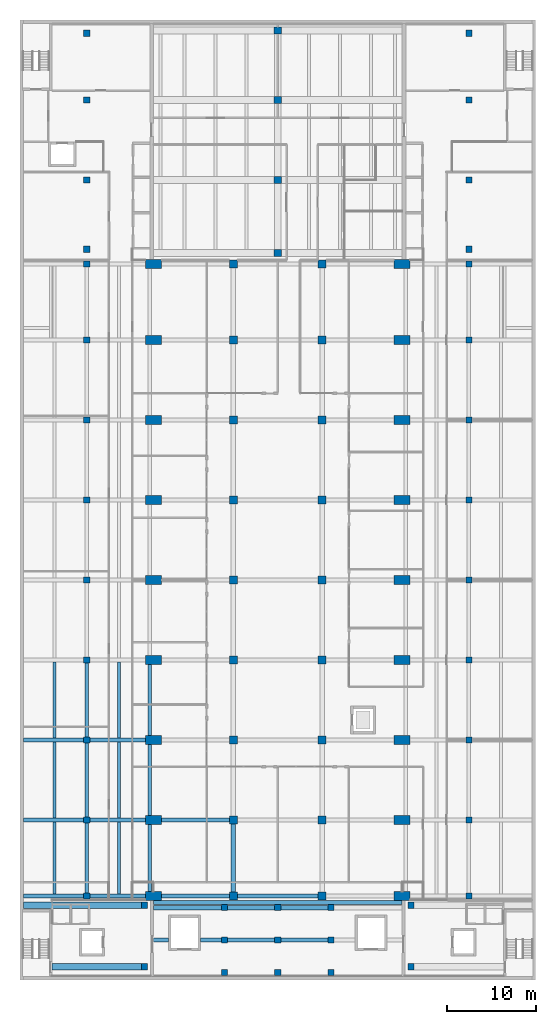
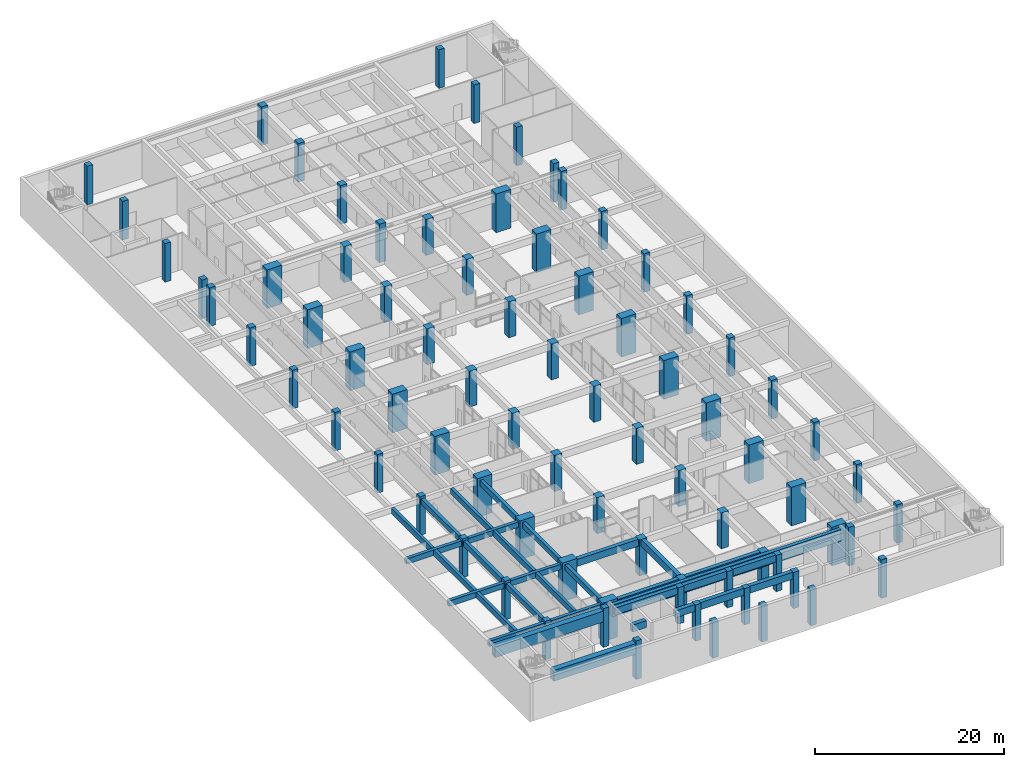
# One storey, part 1 of 29: 79 columns, 32 beams.
"""IFC4 building model written with IfcOpenShell, lengths in metres."""

from ifc_helpers import new_model, si_unit, direction, frame, origin, origin_2d, place, context, subcontext, project, spatial, rectangle, extrude, material, material_profile, profile_set, type_object, element, save


model = new_model("IFC4")

# Units and contexts
model_context = context("Model", 3, precision=1e-05, world=origin(), true_north=direction((0.0, 1.0)))
body_context = subcontext(model_context, "Body", "Model", "MODEL_VIEW")
ifc_project = project(units=[si_unit("LENGTHUNIT", "METRE"), si_unit("AREAUNIT", "SQUARE_METRE"), si_unit("VOLUMEUNIT", "CUBIC_METRE"), si_unit("PLANEANGLEUNIT", "RADIAN"), si_unit("MASSUNIT", "GRAM", prefix="KILO")], contexts=[model_context])

# Site, building, storey
site_placement = place(None, origin())
site = spatial("IfcSite", under=ifc_project, at=site_placement, CompositionType="ELEMENT")
building_placement = place(site_placement, origin())
building = spatial("IfcBuilding", under=site, at=building_placement, Name="Elmora Arch Market Hall", CompositionType="ELEMENT")
storey_placement = place(building_placement, frame((0.0, 0.0, -5.0)))
storey = spatial("IfcBuildingStorey", under=building, at=storey_placement, Name="LG", CompositionType="ELEMENT", Elevation=-5.0)

# Columns
ifc_material_1 = material(Name="Concrete C40/50", Category="concrete")
ifc_material_profile_1 = material_profile(ifc_material_1, rectangle(XDim=0.699951171875, YDim=0.699951171875, at=origin_2d()), Name="Corner block column 700x700")
ifc_profile_set_1 = profile_set([ifc_material_profile_1], Name="Concrete C40/50")
column_type_1 = type_object("IfcColumnType", Name="Corner block column 700x700", PredefinedType="COLUMN", material=ifc_profile_set_1)
for number, where, z_axis, x_axis, name in (
    (1, (14.0, 19.5, 0.0), (0.0, 0.0, 1.0), (1.0, 0.0, 0.0), "Corner block column SW2 LG"),
    (2, (14.0, 26.39990234375, 0.0), (0.0, 0.0, 1.0), (1.0, 0.0, 0.0), "Corner block column SW4 LG"),
    (3, (44.0, 19.5, 0.0), (0.0, 0.0, 1.0), (1.0, 0.0, 0.0), "Corner block column SE2 LG"),
    (4, (44.0, 26.39990234375, 0.0), (0.0, 0.0, 1.0), (1.0, 0.0, 0.0), "Corner block column SE4 LG"),
):
    element("IfcColumn", number, at=place(storey_placement, frame(where, z_axis=z_axis, x_axis=x_axis)), inside=storey, type_object=column_type_1, Name=name, PredefinedType="COLUMN", context=body_context, shape_type="SweptSolid", body=[
        extrude(rectangle(XDim=0.699951171875, YDim=0.699951171875, at=origin_2d()), origin(), (0.0, 0.0, 1.0), 5.0),
    ])
ifc_material_2 = material(Name="Concrete C40/50", Category="concrete")
ifc_material_profile_2 = material_profile(ifc_material_2, rectangle(XDim=0.699951171875, YDim=0.699951171875, at=origin_2d()), Name="Dock column 700x700")
ifc_profile_set_2 = profile_set([ifc_material_profile_2], Name="Concrete C40/50")
column_type_2 = type_object("IfcColumnType", Name="Dock column 700x700", PredefinedType="COLUMN", material=ifc_profile_set_2)
for number, where, z_axis, x_axis, name in (
    (5, (23.0, 22.5, 0.0), (0.0, 0.0, 1.0), (1.0, 0.0, 0.0), "Dock column DK1 LG"),
    (6, (29.0, 22.5, 0.0), (0.0, 0.0, 1.0), (1.0, 0.0, 0.0), "Dock column DK2 LG"),
    (7, (35.0, 22.5, 0.0), (0.0, 0.0, 1.0), (1.0, 0.0, 0.0), "Dock column DK3 LG"),
    (8, (23.0, 26.14990234375, 0.0), (0.0, 0.0, 1.0), (1.0, 0.0, 0.0), "Dock column DK4 LG"),
    (9, (29.0, 26.14990234375, 0.0), (0.0, 0.0, 1.0), (1.0, 0.0, 0.0), "Dock column DK5 LG"),
    (10, (35.0, 26.14990234375, 0.0), (0.0, 0.0, 1.0), (1.0, 0.0, 0.0), "Dock column DK6 LG"),
    (11, (23.0, 18.85009765625, 0.0), (0.0, 0.0, 1.0), (1.0, 0.0, 0.0), "Dock column DK7 LG"),
    (12, (29.0, 18.85009765625, 0.0), (0.0, 0.0, 1.0), (1.0, 0.0, 0.0), "Dock column DK8 LG"),
    (13, (35.0, 18.85009765625, 0.0), (0.0, 0.0, 1.0), (1.0, 0.0, 0.0), "Dock column DK9 LG"),
):
    element("IfcColumn", number, at=place(storey_placement, frame(where, z_axis=z_axis, x_axis=x_axis)), inside=storey, type_object=column_type_2, Name=name, PredefinedType="COLUMN", context=body_context, shape_type="SweptSolid", body=[
        extrude(rectangle(XDim=0.699951171875, YDim=0.699951171875, at=origin_2d()), origin(), (0.0, 0.0, 1.0), 4.699951171875),
    ])
ifc_material_3 = material(Name="Concrete C40/50", Category="concrete")
ifc_material_profile_3 = material_profile(ifc_material_3, rectangle(XDim=0.800048828125, YDim=0.800048828125, at=origin_2d()), Name="Gate column 800x800")
ifc_profile_set_3 = profile_set([ifc_material_profile_3], Name="Concrete C40/50")
column_type_3 = type_object("IfcColumnType", Name="Gate column 800x800", PredefinedType="COLUMN", material=ifc_profile_set_3)
for number, where, z_axis, x_axis, name in (
    (14, (29.0, 99.800048828125, 0.0), (0.0, 0.0, 1.0), (1.0, 0.0, 0.0), "Gate column GT1 LG"),
    (15, (29.0, 108.0, 0.0), (0.0, 0.0, 1.0), (1.0, 0.0, 0.0), "Gate column GT2 LG"),
    (16, (29.0, 117.0, 0.0), (0.0, 0.0, 1.0), (1.0, 0.0, 0.0), "Gate column GT3 LG"),
    (17, (29.0, 124.800048828125, 0.0), (0.0, 0.0, 1.0), (1.0, 0.0, 0.0), "Gate column GT4 LG"),
):
    element("IfcColumn", number, at=place(storey_placement, frame(where, z_axis=z_axis, x_axis=x_axis)), inside=storey, type_object=column_type_3, Name=name, PredefinedType="COLUMN", context=body_context, shape_type="SweptSolid", body=[
        extrude(rectangle(XDim=0.800048828125, YDim=0.800048828125, at=origin_2d()), origin(), (0.0, 0.0, 1.0), 5.0),
    ])
ifc_material_4 = material(Name="Concrete C40/50", Category="concrete")
ifc_material_profile_4 = material_profile(ifc_material_4, rectangle(XDim=0.89990234375, YDim=0.89990234375, at=origin_2d()), Name="Hall frame column 900x900")
ifc_profile_set_4 = profile_set([ifc_material_profile_4], Name="Concrete C40/50")
column_type_4 = type_object("IfcColumnType", Name="Hall frame column 900x900", PredefinedType="COLUMN", material=ifc_profile_set_4)
for number, where, z_axis, x_axis, name in (
    (18, (24.0, 27.449951171875, 0.0), (0.0, 0.0, 1.0), (1.0, 0.0, 0.0), "Hall frame column HF11 LG"),
    (19, (24.0, 36.0, 0.0), (0.0, 0.0, 1.0), (1.0, 0.0, 0.0), "Hall frame column HF12 LG"),
    (20, (24.0, 45.0, 0.0), (0.0, 0.0, 1.0), (1.0, 0.0, 0.0), "Hall frame column HF13 LG"),
    (21, (24.0, 54.0, 0.0), (0.0, 0.0, 1.0), (1.0, 0.0, 0.0), "Hall frame column HF14 LG"),
    (22, (24.0, 63.0, 0.0), (0.0, 0.0, 1.0), (1.0, 0.0, 0.0), "Hall frame column HF15 LG"),
    (23, (24.0, 72.0, 0.0), (0.0, 0.0, 1.0), (1.0, 0.0, 0.0), "Hall frame column HF16 LG"),
    (24, (24.0, 81.0, 0.0), (0.0, 0.0, 1.0), (1.0, 0.0, 0.0), "Hall frame column HF17 LG"),
    (25, (24.0, 90.0, 0.0), (0.0, 0.0, 1.0), (1.0, 0.0, 0.0), "Hall frame column HF18 LG"),
    (26, (24.0, 98.550048828125, 0.0), (0.0, 0.0, 1.0), (1.0, 0.0, 0.0), "Hall frame column HF19 LG"),
    (27, (34.0, 27.449951171875, 0.0), (0.0, 0.0, 1.0), (1.0, 0.0, 0.0), "Hall frame column HF21 LG"),
    (28, (34.0, 36.0, 0.0), (0.0, 0.0, 1.0), (1.0, 0.0, 0.0), "Hall frame column HF22 LG"),
    (29, (34.0, 45.0, 0.0), (0.0, 0.0, 1.0), (1.0, 0.0, 0.0), "Hall frame column HF23 LG"),
    (30, (34.0, 54.0, 0.0), (0.0, 0.0, 1.0), (1.0, 0.0, 0.0), "Hall frame column HF24 LG"),
    (31, (34.0, 63.0, 0.0), (0.0, 0.0, 1.0), (1.0, 0.0, 0.0), "Hall frame column HF25 LG"),
    (32, (34.0, 72.0, 0.0), (0.0, 0.0, 1.0), (1.0, 0.0, 0.0), "Hall frame column HF26 LG"),
    (33, (34.0, 81.0, 0.0), (0.0, 0.0, 1.0), (1.0, 0.0, 0.0), "Hall frame column HF27 LG"),
    (34, (34.0, 90.0, 0.0), (0.0, 0.0, 1.0), (1.0, 0.0, 0.0), "Hall frame column HF28 LG"),
    (35, (34.0, 98.550048828125, 0.0), (0.0, 0.0, 1.0), (1.0, 0.0, 0.0), "Hall frame column HF29 LG"),
):
    element("IfcColumn", number, at=place(storey_placement, frame(where, z_axis=z_axis, x_axis=x_axis)), inside=storey, type_object=column_type_4, Name=name, PredefinedType="COLUMN", context=body_context, shape_type="SweptSolid", body=[
        extrude(rectangle(XDim=0.89990234375, YDim=0.89990234375, at=origin_2d()), origin(), (0.0, 0.0, 1.0), 4.64990234375),
    ])
ifc_material_5 = material(Name="Concrete C40/50", Category="concrete")
ifc_material_profile_5 = material_profile(ifc_material_5, rectangle(XDim=1.800048828125, YDim=1.0, at=origin_2d()), Name="Hall pier")
ifc_profile_set_5 = profile_set([ifc_material_profile_5], Name="Concrete C40/50")
column_type_5 = type_object("IfcColumnType", Name="Hall pier", PredefinedType="COLUMN", material=ifc_profile_set_5)
for number, where, z_axis, x_axis, name in (
    (36, (15.0, 27.449951171875, 0.0), (0.0, 0.0, 1.0), (1.0, 0.0, 0.0), "Hall pier 01W LG"),
    (37, (43.0, 27.449951171875, 0.0), (0.0, 0.0, 1.0), (1.0, 0.0, 0.0), "Hall pier 01E LG"),
    (38, (15.0, 36.0, 0.0), (0.0, 0.0, 1.0), (1.0, 0.0, 0.0), "Hall pier 02W LG"),
    (39, (43.0, 36.0, 0.0), (0.0, 0.0, 1.0), (1.0, 0.0, 0.0), "Hall pier 02E LG"),
    (40, (15.0, 45.0, 0.0), (0.0, 0.0, 1.0), (1.0, 0.0, 0.0), "Hall pier 03W LG"),
    (41, (43.0, 45.0, 0.0), (0.0, 0.0, 1.0), (1.0, 0.0, 0.0), "Hall pier 03E LG"),
    (42, (15.0, 54.0, 0.0), (0.0, 0.0, 1.0), (1.0, 0.0, 0.0), "Hall pier 04W LG"),
    (43, (43.0, 54.0, 0.0), (0.0, 0.0, 1.0), (1.0, 0.0, 0.0), "Hall pier 04E LG"),
    (44, (15.0, 63.0, 0.0), (0.0, 0.0, 1.0), (1.0, 0.0, 0.0), "Hall pier 05W LG"),
    (45, (43.0, 63.0, 0.0), (0.0, 0.0, 1.0), (1.0, 0.0, 0.0), "Hall pier 05E LG"),
    (46, (15.0, 72.0, 0.0), (0.0, 0.0, 1.0), (1.0, 0.0, 0.0), "Hall pier 06W LG"),
    (47, (43.0, 72.0, 0.0), (0.0, 0.0, 1.0), (1.0, 0.0, 0.0), "Hall pier 06E LG"),
    (48, (15.0, 81.0, 0.0), (0.0, 0.0, 1.0), (1.0, 0.0, 0.0), "Hall pier 07W LG"),
    (49, (43.0, 81.0, 0.0), (0.0, 0.0, 1.0), (1.0, 0.0, 0.0), "Hall pier 07E LG"),
    (50, (15.0, 90.0, 0.0), (0.0, 0.0, 1.0), (1.0, 0.0, 0.0), "Hall pier 08W LG"),
    (51, (43.0, 90.0, 0.0), (0.0, 0.0, 1.0), (1.0, 0.0, 0.0), "Hall pier 08E LG"),
    (52, (15.0, 98.550048828125, 0.0), (0.0, 0.0, 1.0), (1.0, 0.0, 0.0), "Hall pier 09W LG"),
    (53, (43.0, 98.550048828125, 0.0), (0.0, 0.0, 1.0), (1.0, 0.0, 0.0), "Hall pier 09E LG"),
):
    element("IfcColumn", number, at=place(storey_placement, frame(where, z_axis=z_axis, x_axis=x_axis)), inside=storey, type_object=column_type_5, Name=name, PredefinedType="COLUMN", context=body_context, shape_type="SweptSolid", body=[
        extrude(rectangle(XDim=1.800048828125, YDim=1.0, at=origin_2d()), origin(), (0.0, 0.0, 1.0), 5.0),
    ])
ifc_material_6 = material(Name="Concrete C40/50", Category="concrete")
ifc_material_profile_6 = material_profile(ifc_material_6, rectangle(XDim=0.699951171875, YDim=0.699951171875, at=origin_2d()), Name="Pavilion column 700x700")
ifc_profile_set_6 = profile_set([ifc_material_profile_6], Name="Concrete C40/50")
column_type_6 = type_object("IfcColumnType", Name="Pavilion column 700x700", PredefinedType="COLUMN", material=ifc_profile_set_6)
for number, where, z_axis, x_axis, name in (
    (54, (7.5, 100.199951171875, 0.0), (0.0, 0.0, 1.0), (1.0, 0.0, 0.0), "Pavilion column NW1 LG"),
    (55, (7.5, 108.0, 0.0), (0.0, 0.0, 1.0), (1.0, 0.0, 0.0), "Pavilion column NW2 LG"),
    (56, (7.5, 117.0, 0.0), (0.0, 0.0, 1.0), (1.0, 0.0, 0.0), "Pavilion column NW3 LG"),
    (57, (7.5, 124.5, 0.0), (0.0, 0.0, 1.0), (1.0, 0.0, 0.0), "Pavilion column NW4 LG"),
    (58, (50.5, 100.199951171875, 0.0), (0.0, 0.0, 1.0), (1.0, 0.0, 0.0), "Pavilion column NE1 LG"),
    (59, (50.5, 108.0, 0.0), (0.0, 0.0, 1.0), (1.0, 0.0, 0.0), "Pavilion column NE2 LG"),
    (60, (50.5, 117.0, 0.0), (0.0, 0.0, 1.0), (1.0, 0.0, 0.0), "Pavilion column NE3 LG"),
    (61, (50.5, 124.5, 0.0), (0.0, 0.0, 1.0), (1.0, 0.0, 0.0), "Pavilion column NE4 LG"),
):
    element("IfcColumn", number, at=place(storey_placement, frame(where, z_axis=z_axis, x_axis=x_axis)), inside=storey, type_object=column_type_6, Name=name, PredefinedType="COLUMN", context=body_context, shape_type="SweptSolid", body=[
        extrude(rectangle(XDim=0.699951171875, YDim=0.699951171875, at=origin_2d()), origin(), (0.0, 0.0, 1.0), 5.0),
    ])
ifc_material_7 = material(Name="Concrete C40/50", Category="concrete")
ifc_material_profile_7 = material_profile(ifc_material_7, rectangle(XDim=0.699951171875, YDim=0.699951171875, at=origin_2d()), Name="Wing column 700x700")
ifc_profile_set_7 = profile_set([ifc_material_profile_7], Name="Concrete C40/50")
column_type_7 = type_object("IfcColumnType", Name="Wing column 700x700", PredefinedType="COLUMN", material=ifc_profile_set_7)
for number, where, z_axis, x_axis, name in (
    (62, (7.5, 27.449951171875, 0.0), (0.0, 0.0, 1.0), (1.0, 0.0, 0.0), "Wing column W1 LG"),
    (63, (7.5, 36.0, 0.0), (0.0, 0.0, 1.0), (1.0, 0.0, 0.0), "Wing column W2 LG"),
    (64, (7.5, 45.0, 0.0), (0.0, 0.0, 1.0), (1.0, 0.0, 0.0), "Wing column W3 LG"),
    (65, (7.5, 54.0, 0.0), (0.0, 0.0, 1.0), (1.0, 0.0, 0.0), "Wing column W4 LG"),
    (66, (7.5, 63.0, 0.0), (0.0, 0.0, 1.0), (1.0, 0.0, 0.0), "Wing column W5 LG"),
    (67, (7.5, 72.0, 0.0), (0.0, 0.0, 1.0), (1.0, 0.0, 0.0), "Wing column W6 LG"),
    (68, (7.5, 81.0, 0.0), (0.0, 0.0, 1.0), (1.0, 0.0, 0.0), "Wing column W7 LG"),
    (69, (7.5, 90.0, 0.0), (0.0, 0.0, 1.0), (1.0, 0.0, 0.0), "Wing column W8 LG"),
    (70, (7.5, 98.550048828125, 0.0), (0.0, 0.0, 1.0), (1.0, 0.0, 0.0), "Wing column W9 LG"),
    (71, (50.5, 27.449951171875, 0.0), (0.0, 0.0, 1.0), (1.0, 0.0, 0.0), "Wing column E1 LG"),
    (72, (50.5, 36.0, 0.0), (0.0, 0.0, 1.0), (1.0, 0.0, 0.0), "Wing column E2 LG"),
    (73, (50.5, 45.0, 0.0), (0.0, 0.0, 1.0), (1.0, 0.0, 0.0), "Wing column E3 LG"),
    (74, (50.5, 54.0, 0.0), (0.0, 0.0, 1.0), (1.0, 0.0, 0.0), "Wing column E4 LG"),
    (75, (50.5, 63.0, 0.0), (0.0, 0.0, 1.0), (1.0, 0.0, 0.0), "Wing column E5 LG"),
    (76, (50.5, 72.0, 0.0), (0.0, 0.0, 1.0), (1.0, 0.0, 0.0), "Wing column E6 LG"),
    (77, (50.5, 81.0, 0.0), (0.0, 0.0, 1.0), (1.0, 0.0, 0.0), "Wing column E7 LG"),
    (78, (50.5, 90.0, 0.0), (0.0, 0.0, 1.0), (1.0, 0.0, 0.0), "Wing column E8 LG"),
    (79, (50.5, 98.550048828125, 0.0), (0.0, 0.0, 1.0), (1.0, 0.0, 0.0), "Wing column E9 LG"),
):
    element("IfcColumn", number, at=place(storey_placement, frame(where, z_axis=z_axis, x_axis=x_axis)), inside=storey, type_object=column_type_7, Name=name, PredefinedType="COLUMN", context=body_context, shape_type="SweptSolid", body=[
        extrude(rectangle(XDim=0.699951171875, YDim=0.699951171875, at=origin_2d()), origin(), (0.0, 0.0, 1.0), 5.0),
    ])

# Beams
ifc_material_8 = material(Name="Concrete C32/40", Category="concrete")
ifc_material_profile_8 = material_profile(ifc_material_8, rectangle(XDim=0.5, YDim=0.89990234375, at=origin_2d()), Name="Basement girder 500x900")
ifc_profile_set_8 = profile_set([ifc_material_profile_8], Name="Concrete C32/40")
beam_type_1 = type_object("IfcBeamType", Name="Basement girder 500x900", PredefinedType="BEAM", material=ifc_profile_set_8)
beam_1_placement = place(storey_placement, frame((15.89990234375, 27.449951171875, 4.199951171875), z_axis=(1.0, 0.0, 0.0), x_axis=(0.0, 1.0, 0.0)))
element("IfcBeam", 80, at=beam_1_placement, inside=storey, type_object=beam_type_1, Name="Basement girder HR1 LG.1", PredefinedType="BEAM", context=body_context, shape_type="SweptSolid", body=[
    extrude(rectangle(XDim=0.5, YDim=0.89990234375, at=origin_2d()), origin(), (0.0, 0.0, 1.0), 7.650146484375),
])
beam_2_placement = place(storey_placement, frame((24.449951171875, 27.449951171875, 4.199951171875), z_axis=(1.0, 0.0, 0.0), x_axis=(0.0, 1.0, 0.0)))
element("IfcBeam", 81, at=beam_2_placement, inside=storey, type_object=beam_type_1, Name="Basement girder HR1 LG.2", PredefinedType="BEAM", context=body_context, shape_type="SweptSolid", body=[
    extrude(rectangle(XDim=0.5, YDim=0.89990234375, at=origin_2d()), origin(), (0.0, 0.0, 1.0), 9.10009765625),
])
for number, where, z_axis, x_axis, name in (
    (82, (15.89990234375, 36.0, 4.199951171875), (1.0, 0.0, 0.0), (0.0, 1.0, 0.0), "Basement girder HR2 LG.1"),
    (83, (24.0, 27.89990234375, 4.199951171875), (0.0, 1.0, 0.0), (-1.0, 0.0, 0.0), "Basement girder HC1 LG.1"),
):
    element("IfcBeam", number, at=place(storey_placement, frame(where, z_axis=z_axis, x_axis=x_axis)), inside=storey, type_object=beam_type_1, Name=name, PredefinedType="BEAM", context=body_context, shape_type="SweptSolid", body=[
        extrude(rectangle(XDim=0.5, YDim=0.89990234375, at=origin_2d()), origin(), (0.0, 0.0, 1.0), 7.650146484375),
    ])
beam_3_placement = place(storey_placement, frame((15.0, 22.5, 4.25), z_axis=(1.0, 0.0, 0.0), x_axis=(0.0, 1.0, 0.0)))
element("IfcBeam", 84, at=beam_3_placement, inside=storey, type_object=beam_type_1, Name="Basement girder DKR1 LG.1", PredefinedType="BEAM", context=body_context, shape_type="SweptSolid", body=[
    extrude(rectangle(XDim=0.5, YDim=0.89990234375, at=origin_2d()), origin(), (0.0, 0.0, 1.0), 1.699951171875),
])
beam_4_placement = place(storey_placement, frame((20.300048828125, 22.5, 4.25), z_axis=(1.0, 0.0, 0.0), x_axis=(0.0, 1.0, 0.0)))
element("IfcBeam", 85, at=beam_4_placement, inside=storey, type_object=beam_type_1, Name="Basement girder DKR1 LG.2", PredefinedType="BEAM", context=body_context, shape_type="SweptSolid", body=[
    extrude(rectangle(XDim=0.5, YDim=0.89990234375, at=origin_2d()), origin(), (0.0, 0.0, 1.0), 2.349853515625),
])
for number, where, z_axis, x_axis, name in (
    (86, (23.35009765625, 22.5, 4.25), (1.0, 0.0, 0.0), (0.0, 1.0, 0.0), "Basement girder DKR1 LG.3"),
    (87, (29.35009765625, 22.5, 4.25), (1.0, 0.0, 0.0), (0.0, 1.0, 0.0), "Basement girder DKR1 LG.4"),
):
    element("IfcBeam", number, at=place(storey_placement, frame(where, z_axis=z_axis, x_axis=x_axis)), inside=storey, type_object=beam_type_1, Name=name, PredefinedType="BEAM", context=body_context, shape_type="SweptSolid", body=[
        extrude(rectangle(XDim=0.5, YDim=0.89990234375, at=origin_2d()), origin(), (0.0, 0.0, 1.0), 5.2998046875),
    ])
beam_5_placement = place(storey_placement, frame((15.0, 26.14990234375, 4.25), z_axis=(1.0, 0.0, 0.0), x_axis=(0.0, 1.0, 0.0)))
element("IfcBeam", 88, at=beam_5_placement, inside=storey, type_object=beam_type_1, Name="Basement girder DKR2 LG.1", PredefinedType="BEAM", context=body_context, shape_type="SweptSolid", body=[
    extrude(rectangle(XDim=0.5, YDim=0.89990234375, at=origin_2d()), origin(), (0.0, 0.0, 1.0), 7.64990234375),
])
for number, where, z_axis, x_axis, name in (
    (89, (23.35009765625, 26.14990234375, 4.25), (1.0, 0.0, 0.0), (0.0, 1.0, 0.0), "Basement girder DKR2 LG.2"),
    (90, (29.35009765625, 26.14990234375, 4.25), (1.0, 0.0, 0.0), (0.0, 1.0, 0.0), "Basement girder DKR2 LG.3"),
):
    element("IfcBeam", number, at=place(storey_placement, frame(where, z_axis=z_axis, x_axis=x_axis)), inside=storey, type_object=beam_type_1, Name=name, PredefinedType="BEAM", context=body_context, shape_type="SweptSolid", body=[
        extrude(rectangle(XDim=0.5, YDim=0.89990234375, at=origin_2d()), origin(), (0.0, 0.0, 1.0), 5.2998046875),
    ])
ifc_material_9 = material(Name="Concrete C32/40", Category="concrete")
ifc_material_profile_9 = material_profile(ifc_material_9, rectangle(XDim=0.699951171875, YDim=1.39990234375, at=origin_2d()), Name="Corner block girder 700x1400")
ifc_profile_set_9 = profile_set([ifc_material_profile_9], Name="Concrete C32/40")
beam_type_2 = type_object("IfcBeamType", Name="Corner block girder 700x1400", PredefinedType="BEAM", material=ifc_profile_set_9)
beam_6_placement = place(storey_placement, frame((3.60009765625, 19.5, 4.0), z_axis=(1.0, 0.0, 0.0), x_axis=(0.0, 1.0, 0.0)))
element("IfcBeam", 91, at=beam_6_placement, inside=storey, type_object=beam_type_2, Name="Corner block girder SWR1 LG.1", PredefinedType="BEAM", context=body_context, shape_type="SweptSolid", body=[
    extrude(rectangle(XDim=0.699951171875, YDim=1.39990234375, at=origin_2d()), origin(), (0.0, 0.0, 1.0), 10.0498046875),
])
beam_7_placement = place(storey_placement, frame((0.39990234375, 26.39990234375, 4.0), z_axis=(1.0, 0.0, 0.0), x_axis=(0.0, 1.0, 0.0)))
element("IfcBeam", 92, at=beam_7_placement, inside=storey, type_object=beam_type_2, Name="Corner block girder SWR2 LG.1", PredefinedType="BEAM", context=body_context, shape_type="SweptSolid", body=[
    extrude(rectangle(XDim=0.699951171875, YDim=1.39990234375, at=origin_2d()), origin(), (0.0, 0.0, 1.0), 13.25),
])
ifc_material_10 = material(Name="Concrete C32/40", Category="concrete")
ifc_material_profile_10 = material_profile(ifc_material_10, rectangle(XDim=0.449951171875, YDim=1.5, at=origin_2d()), Name="Gable girder")
ifc_profile_set_10 = profile_set([ifc_material_profile_10], Name="Concrete C32/40")
beam_type_3 = type_object("IfcBeamType", Name="Gable girder", PredefinedType="BEAM", material=ifc_profile_set_10)
beam_8_placement = place(storey_placement, frame((15.0, 26.72509765625, 3.949951171875), z_axis=(1.0, 0.0, 0.0), x_axis=(0.0, 1.0, 0.0)))
element("IfcBeam", 93, at=beam_8_placement, inside=storey, type_object=beam_type_3, Name="Gable girder", PredefinedType="BEAM", context=body_context, shape_type="SweptSolid", body=[
    extrude(rectangle(XDim=0.449951171875, YDim=1.5, at=origin_2d()), origin(), (0.0, 0.0, 1.0), 28.0),
])
ifc_material_11 = material(Name="Concrete C32/40", Category="concrete")
ifc_material_profile_11 = material_profile(ifc_material_11, rectangle(XDim=0.39990234375, YDim=0.699951171875, at=origin_2d()), Name="Wing beam 400x700")
ifc_profile_set_11 = profile_set([ifc_material_profile_11], Name="Concrete C32/40")
beam_type_4 = type_object("IfcBeamType", Name="Wing beam 400x700", PredefinedType="BEAM", material=ifc_profile_set_11)
beam_9_placement = place(storey_placement, frame((0.39990234375, 27.449951171875, 4.35009765625), z_axis=(1.0, 0.0, 0.0), x_axis=(0.0, 1.0, 0.0)))
element("IfcBeam", 94, at=beam_9_placement, inside=storey, type_object=beam_type_4, Name="Wing beam WR1 LG.1", PredefinedType="BEAM", context=body_context, shape_type="SweptSolid", body=[
    extrude(rectangle(XDim=0.39990234375, YDim=0.699951171875, at=origin_2d()), origin(), (0.0, 0.0, 1.0), 6.75),
])
beam_10_placement = place(storey_placement, frame((7.85009765625, 27.449951171875, 4.35009765625), z_axis=(1.0, 0.0, 0.0), x_axis=(0.0, 1.0, 0.0)))
element("IfcBeam", 95, at=beam_10_placement, inside=storey, type_object=beam_type_4, Name="Wing beam WR1 LG.2", PredefinedType="BEAM", context=body_context, shape_type="SweptSolid", body=[
    extrude(rectangle(XDim=0.39990234375, YDim=0.699951171875, at=origin_2d()), origin(), (0.0, 0.0, 1.0), 6.25),
])
beam_11_placement = place(storey_placement, frame((0.39990234375, 36.0, 4.35009765625), z_axis=(1.0, 0.0, 0.0), x_axis=(0.0, 1.0, 0.0)))
element("IfcBeam", 96, at=beam_11_placement, inside=storey, type_object=beam_type_4, Name="Wing beam WR2 LG.1", PredefinedType="BEAM", context=body_context, shape_type="SweptSolid", body=[
    extrude(rectangle(XDim=0.39990234375, YDim=0.699951171875, at=origin_2d()), origin(), (0.0, 0.0, 1.0), 6.75),
])
beam_12_placement = place(storey_placement, frame((7.85009765625, 36.0, 4.35009765625), z_axis=(1.0, 0.0, 0.0), x_axis=(0.0, 1.0, 0.0)))
element("IfcBeam", 97, at=beam_12_placement, inside=storey, type_object=beam_type_4, Name="Wing beam WR2 LG.2", PredefinedType="BEAM", context=body_context, shape_type="SweptSolid", body=[
    extrude(rectangle(XDim=0.39990234375, YDim=0.699951171875, at=origin_2d()), origin(), (0.0, 0.0, 1.0), 6.25),
])
beam_13_placement = place(storey_placement, frame((0.39990234375, 45.0, 4.35009765625), z_axis=(1.0, 0.0, 0.0), x_axis=(0.0, 1.0, 0.0)))
element("IfcBeam", 98, at=beam_13_placement, inside=storey, type_object=beam_type_4, Name="Wing beam WR3 LG.1", PredefinedType="BEAM", context=body_context, shape_type="SweptSolid", body=[
    extrude(rectangle(XDim=0.39990234375, YDim=0.699951171875, at=origin_2d()), origin(), (0.0, 0.0, 1.0), 6.75),
])
beam_14_placement = place(storey_placement, frame((7.85009765625, 45.0, 4.35009765625), z_axis=(1.0, 0.0, 0.0), x_axis=(0.0, 1.0, 0.0)))
element("IfcBeam", 99, at=beam_14_placement, inside=storey, type_object=beam_type_4, Name="Wing beam WR3 LG.2", PredefinedType="BEAM", context=body_context, shape_type="SweptSolid", body=[
    extrude(rectangle(XDim=0.39990234375, YDim=0.699951171875, at=origin_2d()), origin(), (0.0, 0.0, 1.0), 6.25),
])
beam_15_placement = place(storey_placement, frame((7.5, 27.800048828125, 4.35009765625), z_axis=(0.0, 1.0, 0.0), x_axis=(-1.0, 0.0, 0.0)))
element("IfcBeam", 100, at=beam_15_placement, inside=storey, type_object=beam_type_4, Name="Wing beam WG LG.1", PredefinedType="BEAM", context=body_context, shape_type="SweptSolid", body=[
    extrude(rectangle(XDim=0.39990234375, YDim=0.699951171875, at=origin_2d()), origin(), (0.0, 0.0, 1.0), 7.849853515625),
])
for number, where, z_axis, x_axis, name in (
    (101, (7.5, 36.35009765625, 4.35009765625), (0.0, 1.0, 0.0), (-1.0, 0.0, 0.0), "Wing beam WG LG.2"),
    (102, (7.5, 45.35009765625, 4.35009765625), (0.0, 1.0, 0.0), (-1.0, 0.0, 0.0), "Wing beam WG LG.3"),
):
    element("IfcBeam", number, at=place(storey_placement, frame(where, z_axis=z_axis, x_axis=x_axis)), inside=storey, type_object=beam_type_4, Name=name, PredefinedType="BEAM", context=body_context, shape_type="SweptSolid", body=[
        extrude(rectangle(XDim=0.39990234375, YDim=0.699951171875, at=origin_2d()), origin(), (0.0, 0.0, 1.0), 8.2998046875),
    ])
beam_16_placement = place(storey_placement, frame((14.60009765625, 27.949951171875, 4.35009765625), z_axis=(0.0, 1.0, 0.0), x_axis=(-1.0, 0.0, 0.0)))
element("IfcBeam", 103, at=beam_16_placement, inside=storey, type_object=beam_type_4, Name="Wing beam WEB LG.1", PredefinedType="BEAM", context=body_context, shape_type="SweptSolid", body=[
    extrude(rectangle(XDim=0.39990234375, YDim=0.699951171875, at=origin_2d()), origin(), (0.0, 0.0, 1.0), 7.550048828125),
])
for number, where, z_axis, x_axis, name in (
    (104, (14.60009765625, 36.5, 4.35009765625), (0.0, 1.0, 0.0), (-1.0, 0.0, 0.0), "Wing beam WEB LG.2"),
    (105, (14.60009765625, 45.5, 4.35009765625), (0.0, 1.0, 0.0), (-1.0, 0.0, 0.0), "Wing beam WEB LG.3"),
):
    element("IfcBeam", number, at=place(storey_placement, frame(where, z_axis=z_axis, x_axis=x_axis)), inside=storey, type_object=beam_type_4, Name=name, PredefinedType="BEAM", context=body_context, shape_type="SweptSolid", body=[
        extrude(rectangle(XDim=0.39990234375, YDim=0.699951171875, at=origin_2d()), origin(), (0.0, 0.0, 1.0), 8.0),
    ])
ifc_material_12 = material(Name="Concrete C32/40", Category="concrete")
ifc_material_profile_12 = material_profile(ifc_material_12, rectangle(XDim=0.35009765625, YDim=0.75, at=origin_2d()), Name="Wing joist 350x750")
ifc_profile_set_12 = profile_set([ifc_material_profile_12], Name="Concrete C32/40")
beam_type_5 = type_object("IfcBeamType", Name="Wing joist 350x750", PredefinedType="JOIST", material=ifc_profile_set_12)
beam_17_placement = place(storey_placement, frame((3.89990234375, 27.64990234375, 4.324951171875), z_axis=(0.0, 1.0, 0.0), x_axis=(-1.0, 0.0, 0.0)))
element("IfcBeam", 106, at=beam_17_placement, inside=storey, type_object=beam_type_5, Name="Wing joist WJ1 LG.1", PredefinedType="JOIST", context=body_context, shape_type="SweptSolid", body=[
    extrude(rectangle(XDim=0.35009765625, YDim=0.75, at=origin_2d()), origin(), (0.0, 0.0, 1.0), 8.150146484375),
])
for number, where, z_axis, x_axis, name in (
    (107, (3.89990234375, 36.199951171875, 4.324951171875), (0.0, 1.0, 0.0), (-1.0, 0.0, 0.0), "Wing joist WJ1 LG.2"),
    (108, (3.89990234375, 45.199951171875, 4.324951171875), (0.0, 1.0, 0.0), (-1.0, 0.0, 0.0), "Wing joist WJ1 LG.3"),
):
    element("IfcBeam", number, at=place(storey_placement, frame(where, z_axis=z_axis, x_axis=x_axis)), inside=storey, type_object=beam_type_5, Name=name, PredefinedType="JOIST", context=body_context, shape_type="SweptSolid", body=[
        extrude(rectangle(XDim=0.35009765625, YDim=0.75, at=origin_2d()), origin(), (0.0, 0.0, 1.0), 8.60009765625),
    ])
beam_18_placement = place(storey_placement, frame((11.14990234375, 27.64990234375, 4.324951171875), z_axis=(0.0, 1.0, 0.0), x_axis=(-1.0, 0.0, 0.0)))
element("IfcBeam", 109, at=beam_18_placement, inside=storey, type_object=beam_type_5, Name="Wing joist WJ2 LG.1", PredefinedType="JOIST", context=body_context, shape_type="SweptSolid", body=[
    extrude(rectangle(XDim=0.35009765625, YDim=0.75, at=origin_2d()), origin(), (0.0, 0.0, 1.0), 8.150146484375),
])
for number, where, z_axis, x_axis, name in (
    (110, (11.14990234375, 36.199951171875, 4.324951171875), (0.0, 1.0, 0.0), (-1.0, 0.0, 0.0), "Wing joist WJ2 LG.2"),
    (111, (11.14990234375, 45.199951171875, 4.324951171875), (0.0, 1.0, 0.0), (-1.0, 0.0, 0.0), "Wing joist WJ2 LG.3"),
):
    element("IfcBeam", number, at=place(storey_placement, frame(where, z_axis=z_axis, x_axis=x_axis)), inside=storey, type_object=beam_type_5, Name=name, PredefinedType="JOIST", context=body_context, shape_type="SweptSolid", body=[
        extrude(rectangle(XDim=0.35009765625, YDim=0.75, at=origin_2d()), origin(), (0.0, 0.0, 1.0), 8.60009765625),
    ])

save(model, "model.ifc")
